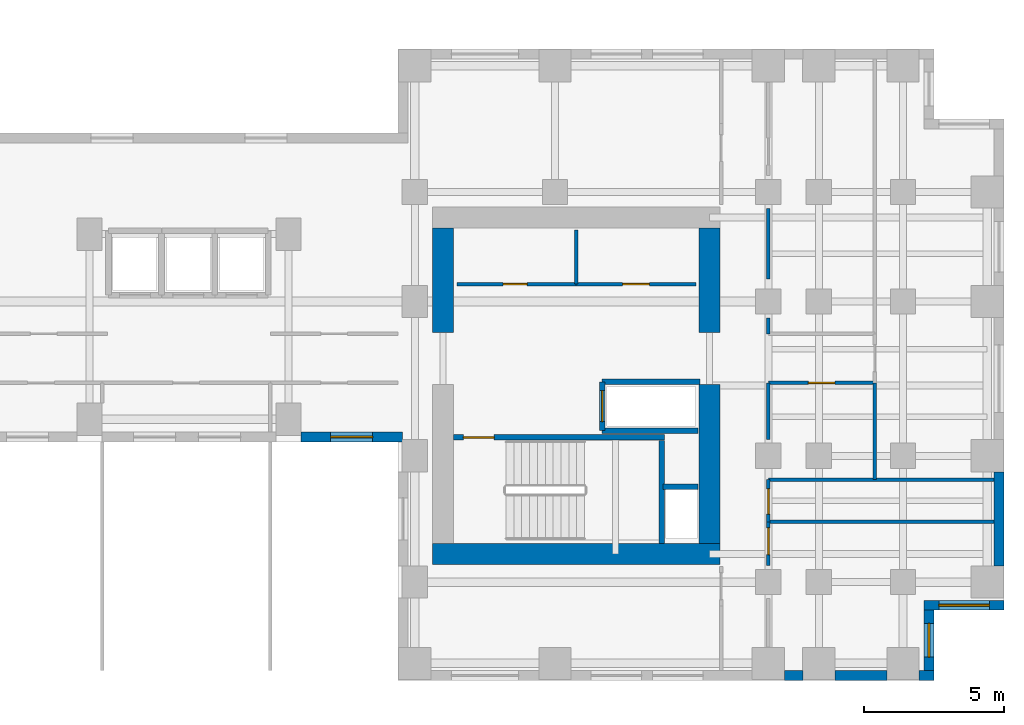
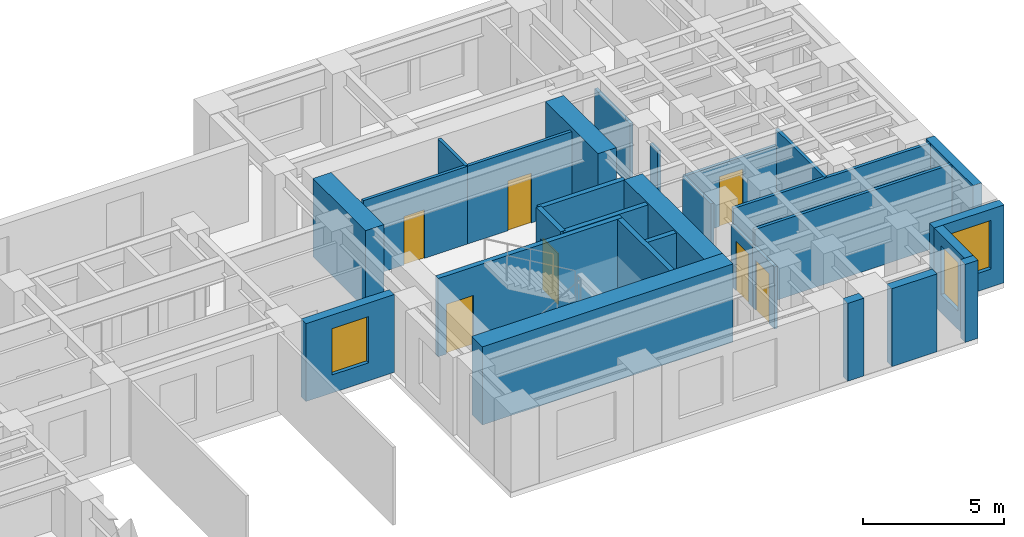
# One storey, part 9 of 13: 29 walls, 7 doors, 3 windows, 10 openings.
"""IFC4 building model written with IfcOpenShell, lengths in metres."""

import ifcopenshell
import ifcopenshell.guid

model = None  # the IFC model being written
_history = None  # IfcOwnerHistory: only IFC2X3 demands one
_inside = {}  # id of a spatial element -> (the spatial element, [elements in it])
_under = {}  # id of a project, library or spatial element -> (it, [spatial elements below it])
_declared = {}  # id of a project -> (the project, [libraries it declares])
_typed = {}  # id of a type object -> (the type object, [elements of that type])
_made_of = {}  # id of a material, layer set ... -> (it, [elements and type objects made of it])


def new_model(schema):
    """Start an empty IFC model of exactly this schema.

    Asked for "IFC4X3", IfcOpenShell would pick the latest addendum, in which some entities
    have other attributes; the version numbers below select the first issue.
    IFC2X3 requires an IfcOwnerHistory on every rooted entity: one is made here for all.
    """
    global model, _history
    if schema == "IFC4X3":
        model = ifcopenshell.file(schema_version=(4, 3, 0, 0))
    else:
        model = ifcopenshell.file(schema=schema)
    _inside.clear()
    _under.clear()
    _declared.clear()
    _typed.clear()
    _made_of.clear()
    _history = None
    if model.schema == "IFC2X3":
        org = make("IfcOrganization", Name="unknown")
        user = make(
            "IfcPersonAndOrganization",
            ThePerson=make("IfcPerson", FamilyName="unknown"),
            TheOrganization=org,
        )
        app = make(
            "IfcApplication",
            ApplicationDeveloper=org,
            Version="unknown",
            ApplicationFullName="unknown",
            ApplicationIdentifier="unknown",
        )
        _history = make(
            "IfcOwnerHistory",
            OwningUser=user,
            OwningApplication=app,
            ChangeAction="ADDED",
            CreationDate=0,
        )
    return model


def make(cls, **values):
    """One entity of the class cls with the attributes given. An attribute that is None is left unset."""
    return model.create_entity(
        cls, **{name: value for name, value in values.items() if value is not None}
    )


def rooted(cls, **values):
    """An entity with a GlobalId (a new one), such as an element, a storey or a relation."""
    return make(cls, GlobalId=ifcopenshell.guid.new(), OwnerHistory=_history, **values)


def si_unit(unit_type, name, prefix=None):
    """IfcSIUnit, for example si_unit("LENGTHUNIT", "METRE", prefix="MILLI")."""
    return make("IfcSIUnit", UnitType=unit_type, Prefix=prefix, Name=name)


def assignment(units):
    """IfcUnitAssignment: the units of a project."""
    return None if units is None else make("IfcUnitAssignment", Units=units)


def point(xyz):
    """IfcCartesianPoint."""
    return None if xyz is None else make("IfcCartesianPoint", Coordinates=xyz)


def direction(xyz):
    """IfcDirection."""
    return None if xyz is None else make("IfcDirection", DirectionRatios=xyz)


def frame(location, z_axis=None, x_axis=None):
    """IfcAxis2Placement3D, a coordinate frame: its origin and axes. An axis left out is left unset."""
    return make(
        "IfcAxis2Placement3D",
        Location=point(location),
        Axis=direction(z_axis),
        RefDirection=direction(x_axis),
    )


def frame_2d(location, x_axis=None):
    """IfcAxis2Placement2D, a coordinate frame in the plane: its origin and x axis."""
    return make(
        "IfcAxis2Placement2D", Location=point(location), RefDirection=direction(x_axis)
    )


def origin():
    """The frame at (0, 0, 0) with its axes left unset."""
    return frame((0.0, 0.0, 0.0))


def place(relative_to, where):
    """IfcLocalPlacement: puts the frame where relative to a parent placement (None: the world)."""
    return make(
        "IfcLocalPlacement", PlacementRelTo=relative_to, RelativePlacement=where
    )


def context(
    kind, dimensions, precision=None, world=None, true_north=None, identifier=None
):
    """IfcGeometricRepresentationContext, for example the 3D "Model" context."""
    return make(
        "IfcGeometricRepresentationContext",
        ContextIdentifier=identifier,
        ContextType=kind,
        CoordinateSpaceDimension=dimensions,
        Precision=precision,
        WorldCoordinateSystem=world,
        TrueNorth=true_north,
    )


def subcontext(parent, identifier, kind, view, scale=None):
    """IfcGeometricRepresentationSubContext, for example "Body" below "Model"."""
    return make(
        "IfcGeometricRepresentationSubContext",
        ContextIdentifier=identifier,
        ContextType=kind,
        ParentContext=parent,
        TargetScale=scale,
        TargetView=view,
    )


def project(units=None, contexts=None):
    """IfcProject with its units and contexts."""
    return rooted(
        "IfcProject",
        Name="project",
        RepresentationContexts=contexts,
        UnitsInContext=assignment(units),
    )


def spatial(cls, under=None, at=None, **own):
    """A site, building, storey or space (cls), placed at a placement, below another one or the project."""
    s = rooted(cls, ObjectPlacement=at, **own)
    if under is not None:
        _under.setdefault(under.id(), (under, []))[1].append(s)
    return s


def profile(cls, at=None, kind="AREA", **sizes):
    """A parametric profile (cls). Its sizes go by their IFC names, for example OverallWidth=200.0."""
    return make(cls, ProfileType=kind, Position=at, **sizes)


def rectangle(**sizes):
    """IfcRectangleProfileDef."""
    return profile("IfcRectangleProfileDef", **sizes)


def extrude(swept, where, along, depth):
    """IfcExtrudedAreaSolid: the profile swept, set in the frame where, extruded along a direction by depth."""
    return make(
        "IfcExtrudedAreaSolid",
        SweptArea=swept,
        Position=where,
        ExtrudedDirection=direction(along),
        Depth=depth,
    )


def shape(context_of_items, identifier, shape_type, items):
    """IfcShapeRepresentation: the items that make up one representation, for example the "Body"."""
    return make(
        "IfcShapeRepresentation",
        ContextOfItems=context_of_items,
        RepresentationIdentifier=identifier,
        RepresentationType=shape_type,
        Items=items,
    )


def source(mapping_origin, context_of_items, identifier, shape_type, items):
    """IfcRepresentationMap: a shape defined once, which mapped items show again and again."""
    return make(
        "IfcRepresentationMap",
        MappingOrigin=mapping_origin,
        MappedRepresentation=shape(context_of_items, identifier, shape_type, items),
    )


def transform(
    local_origin,
    x_axis=None,
    y_axis=None,
    z_axis=None,
    scale=None,
    scale2=None,
    scale3=None,
    uniform=True,
):
    """IfcCartesianTransformationOperator3D, or its non-uniform kind. x_axis, y_axis, z_axis: its Axis1, 2, 3."""
    if uniform:
        return make(
            "IfcCartesianTransformationOperator3D",
            Axis1=direction(x_axis),
            Axis2=direction(y_axis),
            LocalOrigin=point(local_origin),
            Scale=scale,
            Axis3=direction(z_axis),
        )
    return make(
        "IfcCartesianTransformationOperator3DnonUniform",
        Axis1=direction(x_axis),
        Axis2=direction(y_axis),
        LocalOrigin=point(local_origin),
        Scale=scale,
        Axis3=direction(z_axis),
        Scale2=scale2,
        Scale3=scale3,
    )


def mapped(mapping_source, mapping_target):
    """IfcMappedItem: shows the shape of a source again, moved by a transform."""
    return make(
        "IfcMappedItem", MappingSource=mapping_source, MappingTarget=mapping_target
    )


def material(Name=None, Category=None):
    """IfcMaterial."""
    return make("IfcMaterial", Name=Name, Category=Category)


def layer(
    of_material, thickness, ventilated=None, Name=None, Category=None, Priority=None
):
    """IfcMaterialLayer: one layer of a wall or slab, of a material (None: an air gap)."""
    return make(
        "IfcMaterialLayer",
        Material=of_material,
        LayerThickness=thickness,
        IsVentilated=ventilated,
        Name=Name,
        Category=Category,
        Priority=Priority,
    )


def layer_set(layers, Name=None):
    """IfcMaterialLayerSet."""
    return make("IfcMaterialLayerSet", MaterialLayers=layers, LayerSetName=Name)


def made_of(thing, what):
    """Note that an element or type object is made of a material, layer set ...; save() writes the relation."""
    if what is not None:
        _made_of.setdefault(what.id(), (what, []))[1].append(thing)
    return thing


def type_object(cls, material=None, **own):
    """A type object (cls), such as IfcWallType, which elements share."""
    return made_of(rooted(cls, **own), material)


def element(
    cls,
    number,
    at=None,
    inside=None,
    cuts=None,
    type_object=None,
    material=None,
    context=None,
    identifier="Body",
    shape_type=None,
    held_by="IfcProductDefinitionShape",
    body=None,
    shapes=None,
    **own,
):
    """One element of the class cls, such as IfcWall. Its Tag is "e" and its number.

    at: its placement. inside: the storey or other place that contains it. cuts: it is an
    opening in that element (IfcRelVoidsElement). A single representation is given by context,
    identifier, shape_type and body (its items); several are given by shapes. held_by: the class
    of the entity that holds the representations. save() writes the other relations.
    """
    e = rooted(cls, Tag="e%d" % number, ObjectPlacement=at, **own)
    if body is not None:
        shapes = [shape(context, identifier, shape_type, body)]
    if shapes is not None:
        e.Representation = make(held_by, Representations=shapes)
    if inside is not None:
        _inside.setdefault(inside.id(), (inside, []))[1].append(e)
    if cuts is not None:
        rooted(
            "IfcRelVoidsElement", RelatingBuildingElement=cuts, RelatedOpeningElement=e
        )
    if type_object is not None:
        _typed.setdefault(type_object.id(), (type_object, []))[1].append(e)
    return made_of(e, material)


def fill(opening, filler):
    """IfcRelFillsElement: the door or window that sits in an opening."""
    return rooted(
        "IfcRelFillsElement",
        RelatingOpeningElement=opening,
        RelatedBuildingElement=filler,
    )


def aggregate(whole, parts):
    """IfcRelAggregates: a whole, such as a stair, and the parts it consists of."""
    return rooted("IfcRelAggregates", RelatingObject=whole, RelatedObjects=parts)


def save(model, path):
    """Write the relations noted so far, then the file.

    IfcRelAggregates (storeys below a building ...), IfcRelContainedInSpatialStructure (elements
    in a storey), IfcRelDefinesByType, IfcRelAssociatesMaterial and IfcRelDeclares: one each for
    every whole, place, type object, material and project.
    """
    for whole, parts in _under.values():
        aggregate(whole, parts)
    for where, things in _inside.values():
        rooted(
            "IfcRelContainedInSpatialStructure",
            RelatedElements=things,
            RelatingStructure=where,
        )
    for kind, things in _typed.values():
        rooted("IfcRelDefinesByType", RelatedObjects=things, RelatingType=kind)
    for what, things in _made_of.values():
        rooted("IfcRelAssociatesMaterial", RelatedObjects=things, RelatingMaterial=what)
    for by, libraries in _declared.values():
        rooted("IfcRelDeclares", RelatingContext=by, RelatedDefinitions=libraries)
    model.write(path)


model = new_model("IFC4")

# Units and contexts
model_context = context("Model", 3, precision=1e-05, world=origin(), true_north=direction((0.0, 1.0)))
body_context = subcontext(model_context, "Body", "Model", "MODEL_VIEW")
ifc_project = project(units=[si_unit("LENGTHUNIT", "METRE"), si_unit("AREAUNIT", "SQUARE_METRE"), si_unit("VOLUMEUNIT", "CUBIC_METRE"), si_unit("PLANEANGLEUNIT", "RADIAN"), si_unit("MASSUNIT", "GRAM", prefix="KILO")], contexts=[model_context])

# Site, building, storey
site_placement = place(None, origin())
site = spatial("IfcSite", under=ifc_project, at=site_placement, CompositionType="ELEMENT")
building_placement = place(site_placement, origin())
building = spatial("IfcBuilding", under=site, at=building_placement, Name="Kharzan Plaza Tower", CompositionType="ELEMENT")
storey_placement = place(building_placement, frame((0.0, 0.0, 95.39990234375)))
storey = spatial("IfcBuildingStorey", under=building, at=storey_placement, Name="L25", CompositionType="ELEMENT", Elevation=95.39990234375)

# Wall, opening, window
ifc_material_1 = material(Name="Concrete C40/50", Category="concrete")
ifc_layer_1 = layer(ifc_material_1, 0.35009765625)
ifc_layer_set_1 = layer_set([ifc_layer_1], Name="Concrete C40/50")
wall_type_1 = type_object("IfcWallType", Name="WL-EXT-MAS-Z2", PredefinedType="SOLIDWALL", material=ifc_layer_set_1)
wall_1_placement = place(storey_placement, frame((30.947998046875, 8.675048828125, 0.0), z_axis=(0.0, 0.0, 1.0), x_axis=(1.0, 0.0, 0.0)))
wall_1 = element("IfcWall", 1, at=wall_1_placement, inside=storey, type_object=wall_type_1, Name="L25 Masonry-Frame Exterior Wall 36", PredefinedType="SOLIDWALL", context=body_context, shape_type="SweptSolid", body=[
    extrude(rectangle(XDim=3.60400390625, YDim=0.35009765625, at=frame_2d((1.802001953125, 0.0))), origin(), (0.0, 0.0, 1.0), 3.364990234375),
])
opening_1_placement = place(wall_1_placement, frame((1.052001953125, 0.0, 0.780029296875)))
opening_1 = element("IfcOpeningElement", 2, at=opening_1_placement, cuts=wall_1, Name="Opening W5", PredefinedType="OPENING", context=body_context, shape_type="SweptSolid", body=[
    extrude(rectangle(XDim=1.5, YDim=2.0, at=frame_2d((0.75, 1.0))), frame((0.0, 0.18505859375, 0.0), z_axis=(0.0, -1.0, 0.0), x_axis=(1.0, 0.0, 0.0)), (0.0, 0.0, 1.0), 0.3701171875),
])
ifc_material_2 = material(Name="Low-E Double Glazing", Category="glass")
window_type_1 = type_object("IfcWindowType", Name="WN-SLT-1500x2000", PartitioningType="SINGLE_PANEL", PredefinedType="WINDOW", material=ifc_material_2)
shared_shape_1 = source(origin(), body_context, "Body", "SweptSolid", [
    extrude(rectangle(XDim=1.5, YDim=2.0, at=frame_2d((0.75, 1.0))), frame((0.0, 0.030029296875, 0.0), z_axis=(0.0, -1.0, 0.0), x_axis=(1.0, 0.0, 0.0)), (0.0, 0.0, 1.0), 0.06005859375),
])
window_1_placement = place(opening_1_placement, origin())
window_1 = element("IfcWindow", 3, at=window_1_placement, inside=storey, type_object=window_type_1, Name="L25 Recessed Solar-Control Window 36-1", OverallHeight=2.0, OverallWidth=1.5, PartitioningType="SINGLE_PANEL", PredefinedType="WINDOW", context=body_context, shape_type="MappedRepresentation", body=[
    mapped(shared_shape_1, transform((0.0, 0.0, 0.0), x_axis=(1.0, 0.0, 0.0), y_axis=(0.0, 1.0, 0.0), z_axis=(0.0, 0.0, 1.0))),
])
fill(opening_1, window_1)

wall_2_placement = place(storey_placement, frame((53.324951171875, 0.347900390625, 0.0), z_axis=(0.0, 0.0, 1.0), x_axis=(0.0, 1.0, 0.0)))
wall_2 = element("IfcWall", 4, at=wall_2_placement, inside=storey, type_object=wall_type_1, Name="L25 Masonry-Frame Exterior Wall 44", PredefinedType="SOLIDWALL", context=body_context, shape_type="SweptSolid", body=[
    extrude(rectangle(XDim=2.154052734375, YDim=0.35009765625, at=frame_2d((1.0771484375, 0.0))), origin(), (0.0, 0.0, 1.0), 3.364990234375),
])
opening_2_placement = place(wall_2_placement, frame((0.47705078125, 0.0, 0.780029296875)))
opening_2 = element("IfcOpeningElement", 5, at=opening_2_placement, cuts=wall_2, Name="Opening W3", PredefinedType="OPENING", context=body_context, shape_type="SweptSolid", body=[
    extrude(rectangle(XDim=1.199951171875, YDim=2.10009765625, at=frame_2d((0.60009765625, 1.050048828125))), frame((0.0, 0.18505859375, 0.0), z_axis=(0.0, -1.0, 0.0), x_axis=(1.0, 0.0, 0.0)), (0.0, 0.0, 1.0), 0.3701171875),
])
window_type_2 = type_object("IfcWindowType", Name="WN-REC-1200x2100", PartitioningType="SINGLE_PANEL", PredefinedType="WINDOW", material=ifc_material_2)
shared_shape_2 = source(origin(), body_context, "Body", "SweptSolid", [
    extrude(rectangle(XDim=1.199951171875, YDim=2.10009765625, at=frame_2d((0.60009765625, 1.050048828125))), frame((0.0, 0.030029296875, 0.0), z_axis=(0.0, -1.0, 0.0), x_axis=(1.0, 0.0, 0.0)), (0.0, 0.0, 1.0), 0.06005859375),
])
window_2_placement = place(opening_2_placement, origin())
window_2 = element("IfcWindow", 6, at=window_2_placement, inside=storey, type_object=window_type_2, Name="L25 Recessed Solar-Control Window 44-1", OverallHeight=2.10009765625, OverallWidth=1.199951171875, PartitioningType="SINGLE_PANEL", PredefinedType="WINDOW", context=body_context, shape_type="MappedRepresentation", body=[
    mapped(shared_shape_2, transform((0.0, 0.0, 0.0), x_axis=(1.0, 0.0, 0.0), y_axis=(0.0, 1.0, 0.0), z_axis=(0.0, 0.0, 1.0))),
])
fill(opening_2, window_2)

wall_3_placement = place(storey_placement, frame((53.14990234375, 2.675048828125, 0.0), z_axis=(0.0, 0.0, 1.0), x_axis=(1.0, 0.0, 0.0)))
wall_3 = element("IfcWall", 7, at=wall_3_placement, inside=storey, type_object=wall_type_1, Name="L25 Masonry-Frame Exterior Wall 45", PredefinedType="SOLIDWALL", context=body_context, shape_type="SweptSolid", body=[
    extrude(rectangle(XDim=2.85009765625, YDim=0.35009765625, at=frame_2d((1.425048828125, 0.0))), origin(), (0.0, 0.0, 1.0), 3.364990234375),
])
opening_3_placement = place(wall_3_placement, frame((0.52490234375, 0.0, 0.780029296875)))
opening_3 = element("IfcOpeningElement", 8, at=opening_3_placement, cuts=wall_3, Name="Opening W1", PredefinedType="OPENING", context=body_context, shape_type="SweptSolid", body=[
    extrude(rectangle(XDim=1.800048828125, YDim=2.10009765625, at=frame_2d((0.89990234375, 1.050048828125))), frame((0.0, 0.18505859375, 0.0), z_axis=(0.0, -1.0, 0.0), x_axis=(1.0, 0.0, 0.0)), (0.0, 0.0, 1.0), 0.3701171875),
])
window_type_3 = type_object("IfcWindowType", Name="WN-REC-1800x2100", PartitioningType="SINGLE_PANEL", PredefinedType="WINDOW", material=ifc_material_2)
shared_shape_3 = source(origin(), body_context, "Body", "SweptSolid", [
    extrude(rectangle(XDim=1.800048828125, YDim=2.10009765625, at=frame_2d((0.89990234375, 1.050048828125))), frame((0.0, 0.030029296875, 0.0), z_axis=(0.0, -1.0, 0.0), x_axis=(1.0, 0.0, 0.0)), (0.0, 0.0, 1.0), 0.06005859375),
])
window_3_placement = place(opening_3_placement, origin())
window_3 = element("IfcWindow", 9, at=window_3_placement, inside=storey, type_object=window_type_3, Name="L25 Recessed Solar-Control Window 45-1", OverallHeight=2.10009765625, OverallWidth=1.800048828125, PartitioningType="SINGLE_PANEL", PredefinedType="WINDOW", context=body_context, shape_type="MappedRepresentation", body=[
    mapped(shared_shape_3, transform((0.0, 0.0, 0.0), x_axis=(1.0, 0.0, 0.0), y_axis=(0.0, 1.0, 0.0), z_axis=(0.0, 0.0, 1.0))),
])
fill(opening_3, window_3)

# Wall, opening, door
ifc_material_3 = material(Name="Fire-Rated Gypsum Board Partition", Category="gypsum")
ifc_layer_2 = layer(ifc_material_3, 0.125)
ifc_layer_set_2 = layer_set([ifc_layer_2], Name="Fire-Rated Gypsum Board Partition")
wall_type_2 = type_object("IfcWallType", Name="WL-INT-PART-125", PredefinedType="PARTITIONING", material=ifc_layer_set_2)
wall_4_placement = place(storey_placement, frame((36.5, 14.1201171875, 0.0), z_axis=(0.0, 0.0, 1.0), x_axis=(1.0, 0.0, 0.0)))
wall_4 = element("IfcWall", 10, at=wall_4_placement, inside=storey, type_object=wall_type_2, Name="L25 Interior Partition CB-RBLS1", PredefinedType="PARTITIONING", context=body_context, shape_type="SweptSolid", body=[
    extrude(rectangle(XDim=4.25, YDim=0.125, at=frame_2d((2.125, 0.0))), origin(), (0.0, 0.0, 1.0), 3.364990234375),
])
opening_4_placement = place(wall_4_placement, frame((1.64990234375, 0.0, 0.0)))
opening_4 = element("IfcOpeningElement", 11, at=opening_4_placement, cuts=wall_4, Name="Opening RD1", PredefinedType="OPENING", context=body_context, shape_type="SweptSolid", body=[
    extrude(rectangle(XDim=0.85009765625, YDim=2.10009765625, at=frame_2d((0.425048828125, 1.050048828125))), frame((0.0, 0.072509765625, 0.0), z_axis=(0.0, -1.0, 0.0), x_axis=(1.0, 0.0, 0.0)), (0.0, 0.0, 1.0), 0.14501953125),
])
ifc_material_4 = material(Name="Powder-Coated Fire-Rated Steel", Category="steel")
door_type_1 = type_object("IfcDoorType", Name="DR-RISER-900", OperationType="NOTDEFINED", PredefinedType="DOOR", material=ifc_material_4)
shared_shape_4 = source(origin(), body_context, "Body", "SweptSolid", [
    extrude(rectangle(XDim=0.85009765625, YDim=2.10009765625, at=frame_2d((0.425048828125, 1.050048828125))), frame((0.0, 0.02490234375, 0.0), z_axis=(0.0, -1.0, 0.0), x_axis=(1.0, 0.0, 0.0)), (0.0, 0.0, 1.0), 0.050048828125),
])
door_1_placement = place(opening_4_placement, origin())
door_1 = element("IfcDoor", 12, at=door_1_placement, inside=storey, type_object=door_type_1, Name="L25 Archive Room Door", OperationType="SINGLE_SWING_RIGHT", OverallHeight=2.10009765625, OverallWidth=0.85009765625, PredefinedType="DOOR", context=body_context, shape_type="MappedRepresentation", body=[
    mapped(shared_shape_4, transform((0.0, 0.0, 0.0), x_axis=(1.0, 0.0, 0.0), y_axis=(0.0, 1.0, 0.0), z_axis=(0.0, 0.0, 1.0))),
])
fill(opening_4, door_1)

wall_5_placement = place(storey_placement, frame((40.75, 14.1201171875, 0.0), z_axis=(0.0, 0.0, 1.0), x_axis=(1.0, 0.0, 0.0)))
wall_5 = element("IfcWall", 13, at=wall_5_placement, inside=storey, type_object=wall_type_2, Name="L25 Interior Partition CB-RBLS2", PredefinedType="PARTITIONING", context=body_context, shape_type="SweptSolid", body=[
    extrude(rectangle(XDim=4.27001953125, YDim=0.125, at=frame_2d((2.135009765625, 0.0))), origin(), (0.0, 0.0, 1.0), 3.364990234375),
])
opening_5_placement = place(wall_5_placement, frame((1.659912109375, 0.0, 0.0)))
opening_5 = element("IfcOpeningElement", 14, at=opening_5_placement, cuts=wall_5, Name="Opening OD1", PredefinedType="OPENING", context=body_context, shape_type="SweptSolid", body=[
    extrude(rectangle(XDim=0.949951171875, YDim=2.14990234375, at=frame_2d((0.47509765625, 1.074951171875))), frame((0.0, 0.072509765625, 0.0), z_axis=(0.0, -1.0, 0.0), x_axis=(1.0, 0.0, 0.0)), (0.0, 0.0, 1.0), 0.14501953125),
])
ifc_material_5 = material(Name="Acoustic Solid-Core Stained Oak", Category="timber")
door_type_2 = type_object("IfcDoorType", Name="DR-OFF-SINGLE", OperationType="NOTDEFINED", PredefinedType="DOOR", material=ifc_material_5)
shared_shape_5 = source(origin(), body_context, "Body", "SweptSolid", [
    extrude(rectangle(XDim=0.949951171875, YDim=2.14990234375, at=frame_2d((0.47509765625, 1.074951171875))), frame((0.0, 0.02490234375, 0.0), z_axis=(0.0, -1.0, 0.0), x_axis=(1.0, 0.0, 0.0)), (0.0, 0.0, 1.0), 0.050048828125),
])
door_2_placement = place(opening_5_placement, origin())
door_2 = element("IfcDoor", 15, at=door_2_placement, inside=storey, type_object=door_type_2, Name="L25 Print Room Door", OperationType="SINGLE_SWING_LEFT", OverallHeight=2.14990234375, OverallWidth=0.949951171875, PredefinedType="DOOR", context=body_context, shape_type="MappedRepresentation", body=[
    mapped(shared_shape_5, transform((0.0, 0.0, 0.0), x_axis=(1.0, 0.0, 0.0), y_axis=(0.0, 1.0, 0.0), z_axis=(0.0, 0.0, 1.0))),
])
fill(opening_5, door_2)

wall_6_placement = place(storey_placement, frame((47.60009765625, 10.60009765625, 0.0), z_axis=(0.0, 0.0, 1.0), x_axis=(1.0, 0.0, 0.0)))
wall_6 = element("IfcWall", 16, at=wall_6_placement, inside=storey, type_object=wall_type_2, Name="L25 Interior Partition SH-B2S1", PredefinedType="PARTITIONING", context=body_context, shape_type="SweptSolid", body=[
    extrude(rectangle(XDim=3.7998046875, YDim=0.125, at=frame_2d((1.89990234375, 0.0))), origin(), (0.0, 0.0, 1.0), 2.677001953125),
])
opening_6_placement = place(wall_6_placement, frame((1.425048828125, 0.0, 0.0)))
opening_6 = element("IfcOpeningElement", 17, at=opening_6_placement, cuts=wall_6, Name="Opening OD1", PredefinedType="OPENING", context=body_context, shape_type="SweptSolid", body=[
    extrude(rectangle(XDim=0.949951171875, YDim=2.14990234375, at=frame_2d((0.47509765625, 1.074951171875))), frame((0.0, 0.072509765625, 0.0), z_axis=(0.0, -1.0, 0.0), x_axis=(1.0, 0.0, 0.0)), (0.0, 0.0, 1.0), 0.14501953125),
])
door_3_placement = place(opening_6_placement, origin())
door_3 = element("IfcDoor", 18, at=door_3_placement, inside=storey, type_object=door_type_2, Name="L25 Spur South Office Door", OperationType="SINGLE_SWING_LEFT", OverallHeight=2.14990234375, OverallWidth=0.949951171875, PredefinedType="DOOR", context=body_context, shape_type="MappedRepresentation", body=[
    mapped(shared_shape_5, transform((0.0, 0.0, 0.0), x_axis=(1.0, 0.0, 0.0), y_axis=(0.0, 1.0, 0.0), z_axis=(0.0, 0.0, 1.0))),
])
fill(opening_6, door_3)

wall_7_placement = place(storey_placement, frame((47.60009765625, 4.090087890625, 0.0), z_axis=(0.0, 0.0, 1.0), x_axis=(0.0, 1.0, 0.0)))
wall_7 = element("IfcWall", 19, at=wall_7_placement, inside=storey, type_object=wall_type_2, Name="L25 Interior Partition SH-B2W0", PredefinedType="PARTITIONING", context=body_context, shape_type="SweptSolid", body=[
    extrude(rectangle(XDim=1.559814453125, YDim=0.125, at=frame_2d((0.77978515625, 0.0))), origin(), (0.0, 0.0, 1.0), 2.677001953125),
])
opening_7_placement = place(wall_7_placement, frame((0.38818359375, 0.0, 0.0)))
opening_7 = element("IfcOpeningElement", 20, at=opening_7_placement, cuts=wall_7, Name="Opening OD1", PredefinedType="OPENING", context=body_context, shape_type="SweptSolid", body=[
    extrude(rectangle(XDim=0.949951171875, YDim=2.14990234375, at=frame_2d((0.47509765625, 1.074951171875))), frame((0.0, 0.072509765625, 0.0), z_axis=(0.0, -1.0, 0.0), x_axis=(1.0, 0.0, 0.0)), (0.0, 0.0, 1.0), 0.14501953125),
])
door_4_placement = place(opening_7_placement, origin())
door_4 = element("IfcDoor", 21, at=door_4_placement, inside=storey, type_object=door_type_2, Name="L25 Wing B South Office Door", OperationType="SINGLE_SWING_RIGHT", OverallHeight=2.14990234375, OverallWidth=0.949951171875, PredefinedType="DOOR", context=body_context, shape_type="MappedRepresentation", body=[
    mapped(shared_shape_5, transform((0.0, 0.0, 0.0), x_axis=(1.0, 0.0, 0.0), y_axis=(0.0, 1.0, 0.0), z_axis=(0.0, 0.0, 1.0))),
])
fill(opening_7, door_4)

wall_8_placement = place(storey_placement, frame((47.60009765625, 5.64990234375, 0.0), z_axis=(0.0, 0.0, 1.0), x_axis=(0.0, 1.0, 0.0)))
wall_8 = element("IfcWall", 22, at=wall_8_placement, inside=storey, type_object=wall_type_2, Name="L25 Interior Partition SH-B2WC", PredefinedType="PARTITIONING", context=body_context, shape_type="SweptSolid", body=[
    extrude(rectangle(XDim=1.5, YDim=0.125, at=frame_2d((0.75, 0.0))), origin(), (0.0, 0.0, 1.0), 2.677001953125),
])
opening_8_placement = place(wall_8_placement, frame((0.27490234375, 0.0, 0.0)))
opening_8 = element("IfcOpeningElement", 23, at=opening_8_placement, cuts=wall_8, Name="Opening WD1", PredefinedType="OPENING", context=body_context, shape_type="SweptSolid", body=[
    extrude(rectangle(XDim=0.89990234375, YDim=2.14990234375, at=frame_2d((0.449951171875, 1.074951171875))), frame((0.0, 0.072509765625, 0.0), z_axis=(0.0, -1.0, 0.0), x_axis=(1.0, 0.0, 0.0)), (0.0, 0.0, 1.0), 0.14501953125),
])
ifc_material_6 = material(Name="Moisture-Resistant Fire-Rated Laminate", Category="timber")
door_type_3 = type_object("IfcDoorType", Name="DR-WC-900", OperationType="NOTDEFINED", PredefinedType="DOOR", material=ifc_material_6)
shared_shape_6 = source(origin(), body_context, "Body", "SweptSolid", [
    extrude(rectangle(XDim=0.89990234375, YDim=2.14990234375, at=frame_2d((0.449951171875, 1.074951171875))), frame((0.0, 0.02490234375, 0.0), z_axis=(0.0, -1.0, 0.0), x_axis=(1.0, 0.0, 0.0)), (0.0, 0.0, 1.0), 0.050048828125),
])
door_5_placement = place(opening_8_placement, origin())
door_5 = element("IfcDoor", 24, at=door_5_placement, inside=storey, type_object=door_type_3, Name="L25 Wing B Washroom Door", OperationType="SINGLE_SWING_LEFT", OverallHeight=2.14990234375, OverallWidth=0.89990234375, PredefinedType="DOOR", context=body_context, shape_type="MappedRepresentation", body=[
    mapped(shared_shape_6, transform((0.0, 0.0, 0.0), x_axis=(1.0, 0.0, 0.0), y_axis=(0.0, 1.0, 0.0), z_axis=(0.0, 0.0, 1.0))),
])
fill(opening_8, door_5)

ifc_layer_3 = layer(ifc_material_1, 0.199951171875)
ifc_layer_set_3 = layer_set([ifc_layer_3], Name="Concrete C40/50")
wall_type_3 = type_object("IfcWallType", Name="WL-INT-SHAFT-200", PredefinedType="PARTITIONING", material=ifc_layer_set_3)
wall_9_placement = place(storey_placement, frame((41.679931640625, 8.89990234375, 0.0), z_axis=(0.0, 0.0, 1.0), x_axis=(0.0, 1.0, 0.0)))
wall_9 = element("IfcWall", 25, at=wall_9_placement, inside=storey, type_object=wall_type_3, Name="L25 Interior Partition SHF-SVL-2-W", PredefinedType="PARTITIONING", context=body_context, shape_type="SweptSolid", body=[
    extrude(rectangle(XDim=1.739990234375, YDim=0.199951171875, at=frame_2d((0.8701171875, 0.0))), origin(), (0.0, 0.0, 1.0), 3.364990234375),
])
opening_9_placement = place(wall_9_placement, frame((0.320068359375, 0.0, 0.0)))
opening_9 = element("IfcOpeningElement", 26, at=opening_9_placement, cuts=wall_9, Name="Opening LD", PredefinedType="OPENING", context=body_context, shape_type="SweptSolid", body=[
    extrude(rectangle(XDim=1.10009765625, YDim=2.199951171875, at=frame_2d((0.550048828125, 1.10009765625))), frame((0.0, 0.10986328125, 0.0), z_axis=(0.0, -1.0, 0.0), x_axis=(1.0, 0.0, 0.0)), (0.0, 0.0, 1.0), 0.219970703125),
])
ifc_material_7 = material(Name="Brushed Stainless Steel", Category="steel")
door_type_4 = type_object("IfcDoorType", Name="DR-LIFT-SLIDE", OperationType="SLIDING_TO_LEFT", PredefinedType="DOOR", material=ifc_material_7)
shared_shape_7 = source(origin(), body_context, "Body", "SweptSolid", [
    extrude(rectangle(XDim=1.10009765625, YDim=2.199951171875, at=frame_2d((0.550048828125, 1.10009765625))), frame((0.0, 0.02490234375, 0.0), z_axis=(0.0, -1.0, 0.0), x_axis=(1.0, 0.0, 0.0)), (0.0, 0.0, 1.0), 0.050048828125),
])
door_6_placement = place(opening_9_placement, origin())
door_6 = element("IfcDoor", 27, at=door_6_placement, inside=storey, type_object=door_type_4, Name="L25 Service Lift SVL-2 Sliding Landing Door", OperationType="SLIDING_TO_LEFT", OverallHeight=2.199951171875, OverallWidth=1.10009765625, PredefinedType="DOOR", context=body_context, shape_type="MappedRepresentation", body=[
    mapped(shared_shape_7, transform((0.0, 0.0, 0.0), x_axis=(1.0, 0.0, 0.0), y_axis=(0.0, 1.0, 0.0), z_axis=(0.0, 0.0, 1.0))),
])
fill(opening_9, door_6)

ifc_material_8 = material(Name="Concrete C50/60", Category="concrete")
ifc_layer_4 = layer(ifc_material_8, 0.199951171875)
ifc_layer_set_4 = layer_set([ifc_layer_4], Name="Concrete C50/60")
wall_type_4 = type_object("IfcWallType", Name="WL-SHAFT-RC200", PredefinedType="SHEAR", material=ifc_layer_set_4)
wall_10_placement = place(storey_placement, frame((36.376953125, 8.655029296875, 0.0), z_axis=(0.0, 0.0, 1.0), x_axis=(1.0, 0.0, 0.0)))
wall_10 = element("IfcWall", 28, at=wall_10_placement, inside=storey, type_object=wall_type_4, Name="L25 Stair ST-3 North RC Shaft Wall", PredefinedType="SHEAR", context=body_context, shape_type="SweptSolid", body=[
    extrude(rectangle(XDim=7.528076171875, YDim=0.199951171875, at=frame_2d((3.76416015625, 0.0))), origin(), (0.0, 0.0, 1.0), 3.380126953125),
])
opening_10_placement = place(wall_10_placement, frame((0.35009765625, 0.0, 0.0)))
opening_10 = element("IfcOpeningElement", 29, at=opening_10_placement, cuts=wall_10, Name="Opening SD1", PredefinedType="OPENING", context=body_context, shape_type="SweptSolid", body=[
    extrude(rectangle(XDim=1.10009765625, YDim=2.14990234375, at=frame_2d((0.550048828125, 1.074951171875))), frame((0.0, 0.10986328125, 0.0), z_axis=(0.0, -1.0, 0.0), x_axis=(1.0, 0.0, 0.0)), (0.0, 0.0, 1.0), 0.219970703125),
])
ifc_material_9 = material(Name="Fire-Rated Hollow Galvanized Steel", Category="steel")
door_type_5 = type_object("IfcDoorType", Name="DR-STAIR-FD120", OperationType="NOTDEFINED", PredefinedType="DOOR", material=ifc_material_9)
shared_shape_8 = source(origin(), body_context, "Body", "SweptSolid", [
    extrude(rectangle(XDim=1.10009765625, YDim=2.14990234375, at=frame_2d((0.550048828125, 1.074951171875))), frame((0.0, 0.02490234375, 0.0), z_axis=(0.0, -1.0, 0.0), x_axis=(1.0, 0.0, 0.0)), (0.0, 0.0, 1.0), 0.050048828125),
])
door_7_placement = place(opening_10_placement, origin())
door_7 = element("IfcDoor", 30, at=door_7_placement, inside=storey, type_object=door_type_5, Name="L25 Stair ST-3 Fire Exit Door", OperationType="SINGLE_SWING_LEFT", OverallHeight=2.14990234375, OverallWidth=1.10009765625, PredefinedType="DOOR", context=body_context, shape_type="MappedRepresentation", body=[
    mapped(shared_shape_8, transform((0.0, 0.0, 0.0), x_axis=(1.0, 0.0, 0.0), y_axis=(0.0, 1.0, 0.0), z_axis=(0.0, 0.0, 1.0))),
])
fill(opening_10, door_7)

# Walls
shared_shape_9 = source(origin(), body_context, "Body", "SweptSolid", [
    extrude(rectangle(XDim=3.489990234375, YDim=0.199951171875, at=frame_2d((1.7451171875, 0.0))), origin(), (0.0, 0.0, 1.0), 3.364990234375),
])
wall_11_placement = place(storey_placement, frame((41.679931640625, 10.639892578125, 0.0), z_axis=(0.0, 0.0, 1.0), x_axis=(1.0, 0.0, 0.0)))
element("IfcWall", 31, at=wall_11_placement, inside=storey, type_object=wall_type_3, Name="L25 Interior Partition SHF-SVL-2-N", PredefinedType="PARTITIONING", context=body_context, shape_type="MappedRepresentation", body=[
    mapped(shared_shape_9, transform((0.0, 0.0, 0.0), x_axis=(1.0, 0.0, 0.0), y_axis=(0.0, 1.0, 0.0), z_axis=(0.0, 0.0, 1.0))),
])
shared_shape_10 = source(origin(), body_context, "Body", "SweptSolid", [
    extrude(rectangle(XDim=3.4501953125, YDim=0.125, at=frame_2d((1.72509765625, 0.0))), origin(), (0.0, 0.0, 1.0), 3.364990234375),
])
wall_12_placement = place(storey_placement, frame((51.39990234375, 7.14990234375, 0.0), z_axis=(0.0, 0.0, 1.0), x_axis=(0.0, 1.0, 0.0)))
element("IfcWall", 32, at=wall_12_placement, inside=storey, type_object=wall_type_2, Name="L25 Interior Partition SH-B2V1", PredefinedType="PARTITIONING", context=body_context, shape_type="MappedRepresentation", body=[
    mapped(shared_shape_10, transform((0.0, 0.0, 0.0), x_axis=(1.0, 0.0, 0.0), y_axis=(0.0, 1.0, 0.0), z_axis=(0.0, 0.0, 1.0))),
])
ifc_material_10 = material(Name="Concrete C60/75", Category="concrete")
ifc_layer_5 = layer(ifc_material_10, 0.75)
ifc_layer_set_5 = layer_set([ifc_layer_5], Name="Concrete C60/75")
wall_type_5 = type_object("IfcWallType", Name="WL-CORE-750", PredefinedType="SHEAR", material=ifc_layer_set_5)
shared_shape_11 = source(origin(), body_context, "Body", "SweptSolid", [
    extrude(rectangle(XDim=5.675048828125, YDim=0.75, at=frame_2d((2.83740234375, 0.0))), origin(), (0.0, 0.0, 1.0), 3.380126953125),
])
wall_13_placement = place(storey_placement, frame((45.5, 4.875, 0.0), z_axis=(0.0, 0.0, 1.0), x_axis=(0.0, 1.0, 0.0)))
element("IfcWall", 33, at=wall_13_placement, inside=storey, type_object=wall_type_5, Name="L25 CORE-B east shear pier 1", PredefinedType="SHEAR", context=body_context, shape_type="MappedRepresentation", body=[
    mapped(shared_shape_11, transform((0.0, 0.0, 0.0), x_axis=(1.0, 0.0, 0.0), y_axis=(0.0, 1.0, 0.0), z_axis=(0.0, 0.0, 1.0))),
])
shared_shape_12 = source(origin(), body_context, "Body", "SweptSolid", [
    extrude(rectangle(XDim=3.72509765625, YDim=0.75, at=frame_2d((1.862548828125, 0.0))), origin(), (0.0, 0.0, 1.0), 3.380126953125),
])
for number, where, z_axis, x_axis, name in (
    (34, (45.5, 12.39990234375, 0.0), (0.0, 0.0, 1.0), (0.0, 1.0, 0.0), "L25 CORE-B east shear pier 2"),
    (35, (36.0, 12.39990234375, 0.0), (0.0, 0.0, 1.0), (0.0, 1.0, 0.0), "L25 CORE-B west shear pier 2"),
):
    element("IfcWall", number, at=place(storey_placement, frame(where, z_axis=z_axis, x_axis=x_axis)), inside=storey, type_object=wall_type_5, Name=name, PredefinedType="SHEAR", context=body_context, shape_type="MappedRepresentation", body=[
        mapped(shared_shape_12, transform((0.0, 0.0, 0.0), x_axis=(1.0, 0.0, 0.0), y_axis=(0.0, 1.0, 0.0), z_axis=(0.0, 0.0, 1.0))),
    ])
shared_shape_13 = source(origin(), body_context, "Body", "SweptSolid", [
    extrude(rectangle(XDim=10.25, YDim=0.75, at=frame_2d((5.125, 0.0))), origin(), (0.0, 0.0, 1.0), 3.380126953125),
])
wall_14_placement = place(storey_placement, frame((35.625, 4.5, 0.0), z_axis=(0.0, 0.0, 1.0), x_axis=(1.0, 0.0, 0.0)))
element("IfcWall", 36, at=wall_14_placement, inside=storey, type_object=wall_type_5, Name="L25 CORE-B south RC shear wall", PredefinedType="SHEAR", context=body_context, shape_type="MappedRepresentation", body=[
    mapped(shared_shape_13, transform((0.0, 0.0, 0.0), x_axis=(1.0, 0.0, 0.0), y_axis=(0.0, 1.0, 0.0), z_axis=(0.0, 0.0, 1.0))),
])
shared_shape_14 = source(origin(), body_context, "Body", "SweptSolid", [
    extrude(rectangle(XDim=0.65380859375, YDim=0.35009765625, at=frame_2d((0.326904296875, 0.0))), origin(), (0.0, 0.0, 1.0), 3.364990234375),
])
wall_15_placement = place(storey_placement, frame((48.173095703125, 0.175048828125, 0.0), z_axis=(0.0, 0.0, 1.0), x_axis=(1.0, 0.0, 0.0)))
element("IfcWall", 37, at=wall_15_placement, inside=storey, type_object=wall_type_1, Name="L25 Masonry-Frame Exterior Wall 41", PredefinedType="SOLIDWALL", context=body_context, shape_type="MappedRepresentation", body=[
    mapped(shared_shape_14, transform((0.0, 0.0, 0.0), x_axis=(1.0, 0.0, 0.0), y_axis=(0.0, 1.0, 0.0), z_axis=(0.0, 0.0, 1.0))),
])
shared_shape_15 = source(origin(), body_context, "Body", "SweptSolid", [
    extrude(rectangle(XDim=1.85400390625, YDim=0.35009765625, at=frame_2d((0.927001953125, 0.0))), origin(), (0.0, 0.0, 1.0), 3.364990234375),
])
wall_16_placement = place(storey_placement, frame((49.972900390625, 0.175048828125, 0.0), z_axis=(0.0, 0.0, 1.0), x_axis=(1.0, 0.0, 0.0)))
element("IfcWall", 38, at=wall_16_placement, inside=storey, type_object=wall_type_1, Name="L25 Masonry-Frame Exterior Wall 42", PredefinedType="SOLIDWALL", context=body_context, shape_type="MappedRepresentation", body=[
    mapped(shared_shape_15, transform((0.0, 0.0, 0.0), x_axis=(1.0, 0.0, 0.0), y_axis=(0.0, 1.0, 0.0), z_axis=(0.0, 0.0, 1.0))),
])
shared_shape_16 = source(origin(), body_context, "Body", "SweptSolid", [
    extrude(rectangle(XDim=0.527099609375, YDim=0.35009765625, at=frame_2d((0.263671875, 0.0))), origin(), (0.0, 0.0, 1.0), 3.364990234375),
])
wall_17_placement = place(storey_placement, frame((52.972900390625, 0.175048828125, 0.0), z_axis=(0.0, 0.0, 1.0), x_axis=(1.0, 0.0, 0.0)))
element("IfcWall", 39, at=wall_17_placement, inside=storey, type_object=wall_type_1, Name="L25 Masonry-Frame Exterior Wall 43", PredefinedType="SOLIDWALL", context=body_context, shape_type="MappedRepresentation", body=[
    mapped(shared_shape_16, transform((0.0, 0.0, 0.0), x_axis=(1.0, 0.0, 0.0), y_axis=(0.0, 1.0, 0.0), z_axis=(0.0, 0.0, 1.0))),
])
shared_shape_17 = source(origin(), body_context, "Body", "SweptSolid", [
    extrude(rectangle(XDim=3.35400390625, YDim=0.35009765625, at=frame_2d((1.677001953125, 0.0))), origin(), (0.0, 0.0, 1.0), 3.364990234375),
])
wall_18_placement = place(storey_placement, frame((55.824951171875, 4.072998046875, 0.0), z_axis=(0.0, 0.0, 1.0), x_axis=(0.0, 1.0, 0.0)))
element("IfcWall", 40, at=wall_18_placement, inside=storey, type_object=wall_type_1, Name="L25 Masonry-Frame Exterior Wall 46", PredefinedType="SOLIDWALL", context=body_context, shape_type="MappedRepresentation", body=[
    mapped(shared_shape_17, transform((0.0, 0.0, 0.0), x_axis=(1.0, 0.0, 0.0), y_axis=(0.0, 1.0, 0.0), z_axis=(0.0, 0.0, 1.0))),
])
shared_shape_18 = source(origin(), body_context, "Body", "SweptSolid", [
    extrude(rectangle(XDim=0.559814453125, YDim=0.125, at=frame_2d((0.27978515625, 0.0))), origin(), (0.0, 0.0, 1.0), 2.677001953125),
])
wall_19_placement = place(storey_placement, frame((47.60009765625, 12.35009765625, 0.0), z_axis=(0.0, 0.0, 1.0), x_axis=(0.0, 1.0, 0.0)))
element("IfcWall", 41, at=wall_19_placement, inside=storey, type_object=wall_type_2, Name="L25 Interior Partition SH-B2W3S", PredefinedType="PARTITIONING", context=body_context, shape_type="MappedRepresentation", body=[
    mapped(shared_shape_18, transform((0.0, 0.0, 0.0), x_axis=(1.0, 0.0, 0.0), y_axis=(0.0, 1.0, 0.0), z_axis=(0.0, 0.0, 1.0))),
])
shared_shape_19 = source(origin(), body_context, "Body", "SweptSolid", [
    extrude(rectangle(XDim=8.0478515625, YDim=0.125, at=frame_2d((4.02392578125, 0.0))), origin(), (0.0, 0.0, 1.0), 3.364990234375),
])
for number, where, z_axis, x_axis, name in (
    (42, (47.60009765625, 5.64990234375, 0.0), (0.0, 0.0, 1.0), (1.0, 0.0, 0.0), "L25 Interior Partition SH-B2H1"),
    (43, (47.60009765625, 7.14990234375, 0.0), (0.0, 0.0, 1.0), (1.0, 0.0, 0.0), "L25 Interior Partition SH-B2H2"),
):
    element("IfcWall", number, at=place(storey_placement, frame(where, z_axis=z_axis, x_axis=x_axis)), inside=storey, type_object=wall_type_2, Name=name, PredefinedType="PARTITIONING", context=body_context, shape_type="MappedRepresentation", body=[
        mapped(shared_shape_19, transform((0.0, 0.0, 0.0), x_axis=(1.0, 0.0, 0.0), y_axis=(0.0, 1.0, 0.0), z_axis=(0.0, 0.0, 1.0))),
    ])
shared_shape_20 = source(origin(), body_context, "Body", "SweptSolid", [
    extrude(rectangle(XDim=2.010009765625, YDim=0.125, at=frame_2d((1.0048828125, 0.0))), origin(), (0.0, 0.0, 1.0), 2.677001953125),
])
wall_20_placement = place(storey_placement, frame((47.60009765625, 8.590087890625, 0.0), z_axis=(0.0, 0.0, 1.0), x_axis=(0.0, 1.0, 0.0)))
element("IfcWall", 44, at=wall_20_placement, inside=storey, type_object=wall_type_2, Name="L25 Interior Partition SH-B2W1C", PredefinedType="PARTITIONING", context=body_context, shape_type="MappedRepresentation", body=[
    mapped(shared_shape_20, transform((0.0, 0.0, 0.0), x_axis=(1.0, 0.0, 0.0), y_axis=(0.0, 1.0, 0.0), z_axis=(0.0, 0.0, 1.0))),
])
shared_shape_21 = source(origin(), body_context, "Body", "SweptSolid", [
    extrude(rectangle(XDim=2.510009765625, YDim=0.125, at=frame_2d((1.2548828125, 0.0))), origin(), (0.0, 0.0, 1.0), 2.677001953125),
])
wall_21_placement = place(storey_placement, frame((47.60009765625, 14.300048828125, 0.0), z_axis=(0.0, 0.0, 1.0), x_axis=(0.0, 1.0, 0.0)))
element("IfcWall", 45, at=wall_21_placement, inside=storey, type_object=wall_type_2, Name="L25 Interior Partition SH-B2W3D-S1", PredefinedType="PARTITIONING", context=body_context, shape_type="MappedRepresentation", body=[
    mapped(shared_shape_21, transform((0.0, 0.0, 0.0), x_axis=(1.0, 0.0, 0.0), y_axis=(0.0, 1.0, 0.0), z_axis=(0.0, 0.0, 1.0))),
])
shared_shape_22 = source(origin(), body_context, "Body", "SweptSolid", [
    extrude(rectangle(XDim=1.244873046875, YDim=0.199951171875, at=frame_2d((0.62255859375, 0.0))), origin(), (0.0, 0.0, 1.0), 3.364990234375),
])
wall_22_placement = place(storey_placement, frame((43.85009765625, 6.89990234375, 0.0), z_axis=(0.0, 0.0, 1.0), x_axis=(1.0, 0.0, 0.0)))
element("IfcWall", 46, at=wall_22_placement, inside=storey, type_object=wall_type_3, Name="L25 Interior Partition CB-RSRB-N", PredefinedType="PARTITIONING", context=body_context, shape_type="MappedRepresentation", body=[
    mapped(shared_shape_22, transform((0.0, 0.0, 0.0), x_axis=(1.0, 0.0, 0.0), y_axis=(0.0, 1.0, 0.0), z_axis=(0.0, 0.0, 1.0))),
])
shared_shape_23 = source(origin(), body_context, "Body", "SweptSolid", [
    extrude(rectangle(XDim=3.4150390625, YDim=0.199951171875, at=frame_2d((1.70751953125, 0.0))), origin(), (0.0, 0.0, 1.0), 3.364990234375),
])
wall_23_placement = place(storey_placement, frame((41.679931640625, 8.89990234375, 0.0), z_axis=(0.0, 0.0, 1.0), x_axis=(1.0, 0.0, 0.0)))
element("IfcWall", 47, at=wall_23_placement, inside=storey, type_object=wall_type_3, Name="L25 Interior Partition SHF-SVL-2-S", PredefinedType="PARTITIONING", context=body_context, shape_type="MappedRepresentation", body=[
    mapped(shared_shape_23, transform((0.0, 0.0, 0.0), x_axis=(1.0, 0.0, 0.0), y_axis=(0.0, 1.0, 0.0), z_axis=(0.0, 0.0, 1.0))),
])
shared_shape_24 = source(origin(), body_context, "Body", "SweptSolid", [
    extrude(rectangle(XDim=3.677978515625, YDim=0.199951171875, at=frame_2d((1.8388671875, 0.0))), origin(), (0.0, 0.0, 1.0), 3.380126953125),
])
wall_24_placement = place(storey_placement, frame((43.804931640625, 4.876953125, 0.0), z_axis=(0.0, 0.0, 1.0), x_axis=(0.0, 1.0, 0.0)))
element("IfcWall", 48, at=wall_24_placement, inside=storey, type_object=wall_type_4, Name="L25 Stair ST-3 East RC Shaft Wall", PredefinedType="SHEAR", context=body_context, shape_type="MappedRepresentation", body=[
    mapped(shared_shape_24, transform((0.0, 0.0, 0.0), x_axis=(1.0, 0.0, 0.0), y_axis=(0.0, 1.0, 0.0), z_axis=(0.0, 0.0, 1.0))),
])
shared_shape_25 = source(origin(), body_context, "Body", "SweptSolid", [
    extrude(rectangle(XDim=1.929931640625, YDim=0.125, at=frame_2d((0.96484375, 0.0))), origin(), (0.0, 0.0, 1.0), 3.364990234375),
])
wall_25_placement = place(storey_placement, frame((40.75, 14.1201171875, 0.0), z_axis=(0.0, 0.0, 1.0), x_axis=(0.0, 1.0, 0.0)))
element("IfcWall", 49, at=wall_25_placement, inside=storey, type_object=wall_type_2, Name="L25 Interior Partition CB-RBLM1", PredefinedType="PARTITIONING", context=body_context, shape_type="MappedRepresentation", body=[
    mapped(shared_shape_25, transform((0.0, 0.0, 0.0), x_axis=(1.0, 0.0, 0.0), y_axis=(0.0, 1.0, 0.0), z_axis=(0.0, 0.0, 1.0))),
])

save(model, "model.ifc")
